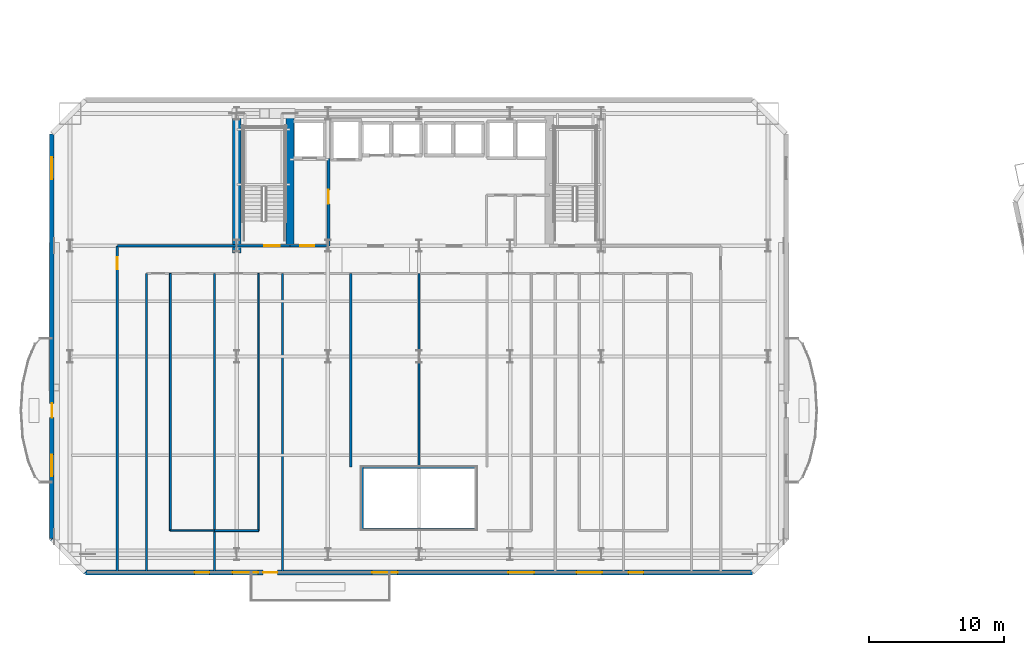
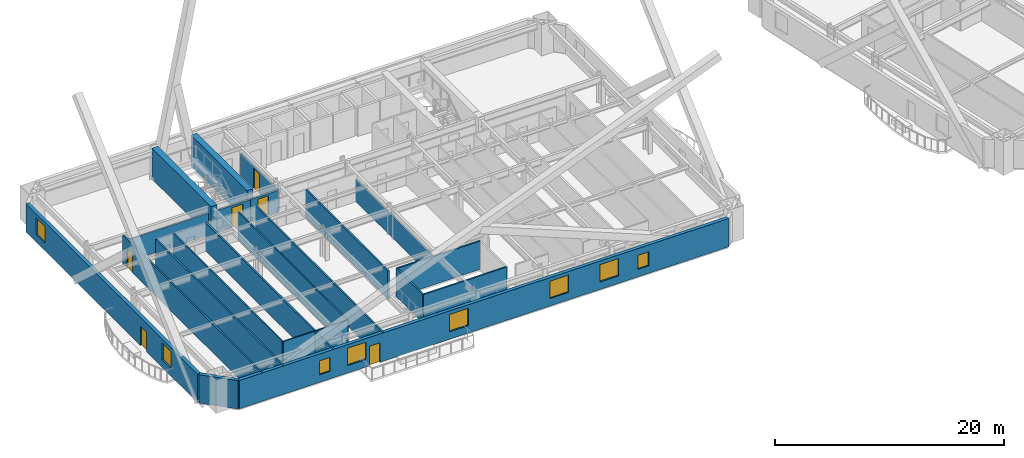
# One storey, part 7 of 20: 22 walls, 8 windows, 6 doors, 14 openings.
"""IFC4 building model written with IfcOpenShell, lengths in metres."""

from ifc_helpers import new_model, si_unit, direction, frame, frame_2d, origin, place, context, subcontext, project, spatial, rectangle, extrude, material, layer, layer_set, type_object, element, fill, save


model = new_model("IFC4")

# Units and contexts
model_context = context("Model", 3, precision=1e-05, world=origin(), true_north=direction((0.0, 1.0)))
body_context = subcontext(model_context, "Body", "Model", "MODEL_VIEW")
ifc_project = project(units=[si_unit("LENGTHUNIT", "METRE"), si_unit("AREAUNIT", "SQUARE_METRE"), si_unit("VOLUMEUNIT", "CUBIC_METRE"), si_unit("PLANEANGLEUNIT", "RADIAN"), si_unit("MASSUNIT", "GRAM", prefix="KILO")], contexts=[model_context])

# Site, building, storey
site_placement = place(None, origin())
site = spatial("IfcSite", under=ifc_project, at=site_placement, CompositionType="ELEMENT")
building_placement = place(site_placement, origin())
building = spatial("IfcBuilding", under=site, at=building_placement, Name="Haevon Station Towers", CompositionType="ELEMENT")
storey_placement = place(building_placement, frame((0.0, 0.0, 30.60009765625)))
storey = spatial("IfcBuildingStorey", under=building, at=storey_placement, Name="L06", CompositionType="ELEMENT", Elevation=30.60009765625)

# Wall, opening, door
ifc_material_1 = material(Name="Gypsum board on steel stud", Category="steel")
ifc_layer_1 = layer(ifc_material_1, 0.199951171875)
ifc_layer_set_1 = layer_set([ifc_layer_1], Name="Gypsum board on steel stud")
wall_type_1 = type_object("IfcWallType", Name="WL-COR200", PredefinedType="PARTITIONING", material=ifc_layer_set_1)
wall_1_placement = place(storey_placement, frame((24.0, 38.199951171875, 0.0), z_axis=(0.0, 0.0, 1.0), x_axis=(1.0, 0.0, 0.0)))
wall_1 = element("IfcWall", 1, at=wall_1_placement, inside=storey, type_object=wall_type_1, Name="WL-ST-ST1-L06", PredefinedType="PARTITIONING", context=body_context, shape_type="SweptSolid", body=[
    extrude(rectangle(XDim=3.949951171875, YDim=0.199951171875, at=frame_2d((1.97509765625, 0.0))), origin(), (0.0, 0.0, 1.0), 2.329833984375),
])
opening_1_placement = place(wall_1_placement, frame((2.050048828125, 0.0, 0.0)))
opening_1 = element("IfcOpeningElement", 2, at=opening_1_placement, cuts=wall_1, Name="Opening DR-ST-ST1-L06", PredefinedType="OPENING", context=body_context, shape_type="SweptSolid", body=[
    extrude(rectangle(XDim=1.1201171875, YDim=2.10009765625, at=frame_2d((0.56005859375, 1.050048828125))), frame((0.0, 0.10986328125, 0.0), z_axis=(0.0, -1.0, 0.0), x_axis=(1.0, 0.0, 0.0)), (0.0, 0.0, 1.0), 0.219970703125),
])
ifc_material_2 = material(Name="Engineered oak timber", Category="wood")
door_type_1 = type_object("IfcDoorType", Name="DR-ST-1120", OperationType="NOTDEFINED", PredefinedType="DOOR", material=ifc_material_2)
door_1_placement = place(opening_1_placement, origin())
door_1 = element("IfcDoor", 3, at=door_1_placement, inside=storey, type_object=door_type_1, Name="L06 Escape Stair ST1 Fire Door", OperationType="SINGLE_SWING_LEFT", OverallHeight=2.10009765625, OverallWidth=1.1201171875, PredefinedType="DOOR", context=body_context, shape_type="SweptSolid", body=[
    extrude(rectangle(XDim=1.1201171875, YDim=2.10009765625, at=frame_2d((0.56005859375, 1.050048828125))), frame((0.0, 0.02490234375, 0.0), z_axis=(0.0, -1.0, 0.0), x_axis=(1.0, 0.0, 0.0)), (0.0, 0.0, 1.0), 0.050048828125),
])
fill(opening_1, door_1)

wall_2_placement = place(storey_placement, frame((30.800048828125, 38.199951171875, 0.0), z_axis=(0.0, 0.0, 1.0), x_axis=(0.0, 1.0, 0.0)))
wall_2 = element("IfcWall", 4, at=wall_2_placement, inside=storey, type_object=wall_type_1, Name="WL-T1FFL-L06-E", PredefinedType="PARTITIONING", context=body_context, shape_type="SweptSolid", body=[
    extrude(rectangle(XDim=6.449951171875, YDim=0.199951171875, at=frame_2d((3.22509765625, 0.0))), origin(), (0.0, 0.0, 1.0), 2.329833984375),
])
opening_2_placement = place(wall_2_placement, frame((3.10009765625, 0.0, 0.0)))
opening_2 = element("IfcOpeningElement", 5, at=opening_2_placement, cuts=wall_2, Name="Opening DR-T1FFL-L06-E", PredefinedType="OPENING", context=body_context, shape_type="SweptSolid", body=[
    extrude(rectangle(XDim=1.050048828125, YDim=2.10009765625, at=frame_2d((0.52490234375, 1.050048828125))), frame((0.0, 0.10986328125, 0.0), z_axis=(0.0, -1.0, 0.0), x_axis=(1.0, 0.0, 0.0)), (0.0, 0.0, 1.0), 0.219970703125),
])
door_type_2 = type_object("IfcDoorType", Name="DR-FD60-1050", OperationType="NOTDEFINED", PredefinedType="DOOR", material=ifc_material_2)
door_2_placement = place(opening_2_placement, origin())
door_2 = element("IfcDoor", 6, at=door_2_placement, inside=storey, type_object=door_type_2, Name="L06 Tower 1 Firefighting Lift Lobby Door E", OperationType="SINGLE_SWING_LEFT", OverallHeight=2.10009765625, OverallWidth=1.050048828125, PredefinedType="DOOR", context=body_context, shape_type="SweptSolid", body=[
    extrude(rectangle(XDim=1.050048828125, YDim=2.10009765625, at=frame_2d((0.52490234375, 1.050048828125))), frame((0.0, 0.02490234375, 0.0), z_axis=(0.0, -1.0, 0.0), x_axis=(1.0, 0.0, 0.0)), (0.0, 0.0, 1.0), 0.050048828125),
])
fill(opening_2, door_2)

wall_3_placement = place(storey_placement, frame((27.949951171875, 38.199951171875, 0.0), z_axis=(0.0, 0.0, 1.0), x_axis=(1.0, 0.0, 0.0)))
wall_3 = element("IfcWall", 7, at=wall_3_placement, inside=storey, type_object=wall_type_1, Name="WL-T1FFL-L06-S", PredefinedType="PARTITIONING", context=body_context, shape_type="SweptSolid", body=[
    extrude(rectangle(XDim=2.85009765625, YDim=0.199951171875, at=frame_2d((1.425048828125, 0.0))), origin(), (0.0, 0.0, 1.0), 2.329833984375),
])
opening_3_placement = place(wall_3_placement, frame((0.75, 0.0, 0.0)))
opening_3 = element("IfcOpeningElement", 8, at=opening_3_placement, cuts=wall_3, Name="Opening DR-T1FFL-L06-S", PredefinedType="OPENING", context=body_context, shape_type="SweptSolid", body=[
    extrude(rectangle(XDim=1.050048828125, YDim=2.10009765625, at=frame_2d((0.52490234375, 1.050048828125))), frame((0.0, 0.10986328125, 0.0), z_axis=(0.0, -1.0, 0.0), x_axis=(1.0, 0.0, 0.0)), (0.0, 0.0, 1.0), 0.219970703125),
])
door_3_placement = place(opening_3_placement, origin())
door_3 = element("IfcDoor", 9, at=door_3_placement, inside=storey, type_object=door_type_2, Name="L06 Tower 1 Firefighting Lift Lobby Door S", OperationType="SINGLE_SWING_RIGHT", OverallHeight=2.10009765625, OverallWidth=1.050048828125, PredefinedType="DOOR", context=body_context, shape_type="SweptSolid", body=[
    extrude(rectangle(XDim=1.050048828125, YDim=2.10009765625, at=frame_2d((0.52490234375, 1.050048828125))), frame((0.0, 0.02490234375, 0.0), z_axis=(0.0, -1.0, 0.0), x_axis=(1.0, 0.0, 0.0)), (0.0, 0.0, 1.0), 0.050048828125),
])
fill(opening_3, door_3)

# Walls
ifc_material_3 = material(Name="Concrete C60/75", Category="concrete")
ifc_layer_2 = layer(ifc_material_3, 0.60009765625)
ifc_layer_set_2 = layer_set([ifc_layer_2], Name="Concrete C60/75")
wall_type_2 = type_object("IfcWallType", Name="WL-CR600", PredefinedType="SHEAR", material=ifc_layer_set_2)
wall_4_placement = place(storey_placement, frame((24.0, 37.679931640625, 0.0), z_axis=(0.0, 0.0, 1.0), x_axis=(0.0, 1.0, 0.0)))
element("IfcWall", 10, at=wall_4_placement, inside=storey, type_object=wall_type_2, Name="WL-T1CR-L06-W", PredefinedType="SHEAR", context=body_context, shape_type="SweptSolid", body=[
    extrude(rectangle(XDim=10.320068359375, YDim=0.60009765625, at=frame_2d((5.16015625, 0.0))), origin(), (0.0, 0.0, 1.0), 3.2998046875),
])
wall_5_placement = place(storey_placement, frame((27.949951171875, 38.199951171875, 0.0), z_axis=(0.0, 0.0, 1.0), x_axis=(0.0, 1.0, 0.0)))
element("IfcWall", 11, at=wall_5_placement, inside=storey, type_object=wall_type_2, Name="WL-T1CR-L06-M1", PredefinedType="SHEAR", context=body_context, shape_type="SweptSolid", body=[
    extrude(rectangle(XDim=9.800048828125, YDim=0.60009765625, at=frame_2d((4.89990234375, 0.0))), origin(), (0.0, 0.0, 1.0), 3.2998046875),
])

# Wall, openings, door, windows
ifc_material_4 = material(Name="Precast concrete C45/55", Category="concrete")
ifc_layer_3 = layer(ifc_material_4, 0.340087890625)
ifc_layer_set_3 = layer_set([ifc_layer_3], Name="Precast concrete C45/55")
wall_type_3 = type_object("IfcWallType", Name="WL-EXT-PIER340", PredefinedType="SOLIDWALL", material=ifc_layer_set_3)
wall_6_placement = place(storey_placement, frame((62.199951171875, 14.0, 0.0), z_axis=(0.0, 0.0, 1.0), x_axis=(-1.0, 0.0, 0.0)))
wall_6 = element("IfcWall", 12, at=wall_6_placement, inside=storey, type_object=wall_type_3, Name="WL-T1-L06-S", PredefinedType="SOLIDWALL", context=body_context, shape_type="SweptSolid", body=[
    extrude(rectangle(XDim=49.39990234375, YDim=0.340087890625, at=frame_2d((24.699951171875, 0.0))), origin(), (0.0, 0.0, 1.0), 3.02978515625),
])
opening_4_placement = place(wall_6_placement, frame((35.197021484375, 0.0, 0.0)))
opening_4 = element("IfcOpeningElement", 13, at=opening_4_placement, cuts=wall_6, Name="Opening DR-T1-PBAND-L06-1", PredefinedType="OPENING", context=body_context, shape_type="SweptSolid", body=[
    extrude(rectangle(XDim=1.050048828125, YDim=2.10009765625, at=frame_2d((0.52490234375, 1.050048828125))), frame((0.0, 0.179931640625, 0.0), z_axis=(0.0, -1.0, 0.0), x_axis=(1.0, 0.0, 0.0)), (0.0, 0.0, 1.0), 0.360107421875),
])
opening_5_placement = place(wall_6_placement, frame((40.22998046875, 0.0, 0.800048828125)))
opening_5 = element("IfcOpeningElement", 14, at=opening_5_placement, cuts=wall_6, Name="Opening WN-COR110", PredefinedType="OPENING", context=body_context, shape_type="SweptSolid", body=[
    extrude(rectangle(XDim=1.10009765625, YDim=1.5, at=frame_2d((0.550048828125, 0.75))), frame((0.0, 0.179931640625, 0.0), z_axis=(0.0, -1.0, 0.0), x_axis=(1.0, 0.0, 0.0)), (0.0, 0.0, 1.0), 0.360107421875),
])
opening_6_placement = place(wall_6_placement, frame((36.614013671875, 0.0, 0.800048828125)))
opening_6 = element("IfcOpeningElement", 15, at=opening_6_placement, cuts=wall_6, Name="Opening WN-P190", PredefinedType="OPENING", context=body_context, shape_type="SweptSolid", body=[
    extrude(rectangle(XDim=1.89990234375, YDim=1.85009765625, at=frame_2d((0.949951171875, 0.925048828125))), frame((0.0, 0.179931640625, 0.0), z_axis=(0.0, -1.0, 0.0), x_axis=(1.0, 0.0, 0.0)), (0.0, 0.0, 1.0), 0.360107421875),
])
opening_7_placement = place(wall_6_placement, frame((26.27490234375, 0.0, 0.800048828125)))
opening_7 = element("IfcOpeningElement", 16, at=opening_7_placement, cuts=wall_6, Name="Opening WN-P190", PredefinedType="OPENING", context=body_context, shape_type="SweptSolid", body=[
    extrude(rectangle(XDim=1.89990234375, YDim=1.85009765625, at=frame_2d((0.949951171875, 0.925048828125))), frame((0.0, 0.179931640625, 0.0), z_axis=(0.0, -1.0, 0.0), x_axis=(1.0, 0.0, 0.0)), (0.0, 0.0, 1.0), 0.360107421875),
])
opening_8_placement = place(wall_6_placement, frame((16.175048828125, 0.0, 0.800048828125)))
opening_8 = element("IfcOpeningElement", 17, at=opening_8_placement, cuts=wall_6, Name="Opening WN-P190", PredefinedType="OPENING", context=body_context, shape_type="SweptSolid", body=[
    extrude(rectangle(XDim=1.89990234375, YDim=1.85009765625, at=frame_2d((0.949951171875, 0.925048828125))), frame((0.0, 0.179931640625, 0.0), z_axis=(0.0, -1.0, 0.0), x_axis=(1.0, 0.0, 0.0)), (0.0, 0.0, 1.0), 0.360107421875),
])
opening_9_placement = place(wall_6_placement, frame((11.125, 0.0, 0.800048828125)))
opening_9 = element("IfcOpeningElement", 18, at=opening_9_placement, cuts=wall_6, Name="Opening WN-P190", PredefinedType="OPENING", context=body_context, shape_type="SweptSolid", body=[
    extrude(rectangle(XDim=1.89990234375, YDim=1.85009765625, at=frame_2d((0.949951171875, 0.925048828125))), frame((0.0, 0.179931640625, 0.0), z_axis=(0.0, -1.0, 0.0), x_axis=(1.0, 0.0, 0.0)), (0.0, 0.0, 1.0), 0.360107421875),
])
opening_10_placement = place(wall_6_placement, frame((8.070068359375, 0.0, 0.800048828125)))
opening_10 = element("IfcOpeningElement", 19, at=opening_10_placement, cuts=wall_6, Name="Opening WN-COR110", PredefinedType="OPENING", context=body_context, shape_type="SweptSolid", body=[
    extrude(rectangle(XDim=1.10009765625, YDim=1.5, at=frame_2d((0.550048828125, 0.75))), frame((0.0, 0.179931640625, 0.0), z_axis=(0.0, -1.0, 0.0), x_axis=(1.0, 0.0, 0.0)), (0.0, 0.0, 1.0), 0.360107421875),
])
ifc_material_5 = material(Name="Thermally broken anodised aluminium and laminated safety glass", Category="aluminium")
door_type_3 = type_object("IfcDoorType", Name="DR-BALC-1050", OperationType="NOTDEFINED", PredefinedType="DOOR", material=ifc_material_5)
door_4_placement = place(opening_4_placement, origin())
door_4 = element("IfcDoor", 20, at=door_4_placement, inside=storey, type_object=door_type_3, Name="Tower 1 L06 Balcony Terrace Door", OperationType="SINGLE_SWING_LEFT", OverallHeight=2.10009765625, OverallWidth=1.050048828125, PredefinedType="DOOR", context=body_context, shape_type="SweptSolid", body=[
    extrude(rectangle(XDim=1.050048828125, YDim=2.10009765625, at=frame_2d((0.52490234375, 1.050048828125))), frame((0.0, 0.02490234375, 0.0), z_axis=(0.0, -1.0, 0.0), x_axis=(1.0, 0.0, 0.0)), (0.0, 0.0, 1.0), 0.050048828125),
])
fill(opening_4, door_4)
ifc_material_6 = material(Name="Low-E triple glazing in thermally broken aluminium", Category="aluminium")
window_type_1 = type_object("IfcWindowType", Name="WN-COR110", PartitioningType="SINGLE_PANEL", PredefinedType="WINDOW", material=ifc_material_6)
window_1_placement = place(opening_5_placement, origin())
window_1 = element("IfcWindow", 21, at=window_1_placement, inside=storey, type_object=window_type_1, Name="WN-T1-L06-S01", OverallHeight=1.5, OverallWidth=1.10009765625, PartitioningType="SINGLE_PANEL", PredefinedType="WINDOW", context=body_context, shape_type="SweptSolid", body=[
    extrude(rectangle(XDim=1.10009765625, YDim=1.5, at=frame_2d((0.550048828125, 0.75))), frame((0.0, 0.030029296875, 0.0), z_axis=(0.0, -1.0, 0.0), x_axis=(1.0, 0.0, 0.0)), (0.0, 0.0, 1.0), 0.06005859375),
])
fill(opening_5, window_1)
window_2_placement = place(opening_10_placement, origin())
window_2 = element("IfcWindow", 22, at=window_2_placement, inside=storey, type_object=window_type_1, Name="WN-T1-L06-S06", OverallHeight=1.5, OverallWidth=1.10009765625, PartitioningType="SINGLE_PANEL", PredefinedType="WINDOW", context=body_context, shape_type="SweptSolid", body=[
    extrude(rectangle(XDim=1.10009765625, YDim=1.5, at=frame_2d((0.550048828125, 0.75))), frame((0.0, 0.030029296875, 0.0), z_axis=(0.0, -1.0, 0.0), x_axis=(1.0, 0.0, 0.0)), (0.0, 0.0, 1.0), 0.06005859375),
])
fill(opening_10, window_2)
window_type_2 = type_object("IfcWindowType", Name="WN-P190", PartitioningType="SINGLE_PANEL", PredefinedType="WINDOW", material=ifc_material_6)
window_3_placement = place(opening_6_placement, origin())
window_3 = element("IfcWindow", 23, at=window_3_placement, inside=storey, type_object=window_type_2, Name="WN-T1-L06-S02", OverallHeight=1.85009765625, OverallWidth=1.89990234375, PartitioningType="SINGLE_PANEL", PredefinedType="WINDOW", context=body_context, shape_type="SweptSolid", body=[
    extrude(rectangle(XDim=1.89990234375, YDim=1.85009765625, at=frame_2d((0.949951171875, 0.925048828125))), frame((0.0, 0.030029296875, 0.0), z_axis=(0.0, -1.0, 0.0), x_axis=(1.0, 0.0, 0.0)), (0.0, 0.0, 1.0), 0.06005859375),
])
fill(opening_6, window_3)
window_4_placement = place(opening_7_placement, origin())
window_4 = element("IfcWindow", 24, at=window_4_placement, inside=storey, type_object=window_type_2, Name="WN-T1-L06-S03", OverallHeight=1.85009765625, OverallWidth=1.89990234375, PartitioningType="SINGLE_PANEL", PredefinedType="WINDOW", context=body_context, shape_type="SweptSolid", body=[
    extrude(rectangle(XDim=1.89990234375, YDim=1.85009765625, at=frame_2d((0.949951171875, 0.925048828125))), frame((0.0, 0.030029296875, 0.0), z_axis=(0.0, -1.0, 0.0), x_axis=(1.0, 0.0, 0.0)), (0.0, 0.0, 1.0), 0.06005859375),
])
fill(opening_7, window_4)
window_5_placement = place(opening_8_placement, origin())
window_5 = element("IfcWindow", 25, at=window_5_placement, inside=storey, type_object=window_type_2, Name="WN-T1-L06-S04", OverallHeight=1.85009765625, OverallWidth=1.89990234375, PartitioningType="SINGLE_PANEL", PredefinedType="WINDOW", context=body_context, shape_type="SweptSolid", body=[
    extrude(rectangle(XDim=1.89990234375, YDim=1.85009765625, at=frame_2d((0.949951171875, 0.925048828125))), frame((0.0, 0.030029296875, 0.0), z_axis=(0.0, -1.0, 0.0), x_axis=(1.0, 0.0, 0.0)), (0.0, 0.0, 1.0), 0.06005859375),
])
fill(opening_8, window_5)
window_6_placement = place(opening_9_placement, origin())
window_6 = element("IfcWindow", 26, at=window_6_placement, inside=storey, type_object=window_type_2, Name="WN-T1-L06-S05", OverallHeight=1.85009765625, OverallWidth=1.89990234375, PartitioningType="SINGLE_PANEL", PredefinedType="WINDOW", context=body_context, shape_type="SweptSolid", body=[
    extrude(rectangle(XDim=1.89990234375, YDim=1.85009765625, at=frame_2d((0.949951171875, 0.925048828125))), frame((0.0, 0.030029296875, 0.0), z_axis=(0.0, -1.0, 0.0), x_axis=(1.0, 0.0, 0.0)), (0.0, 0.0, 1.0), 0.06005859375),
])
fill(opening_9, window_6)

# Wall
wall_7_placement = place(storey_placement, frame((12.800048828125, 14.0, 0.0), z_axis=(0.0, 0.0, 1.0), x_axis=(-0.707106781187, 0.707106781187, 0.0)))
element("IfcWall", 27, at=wall_7_placement, inside=storey, type_object=wall_type_3, Name="WL-T1-L06-SWC", PredefinedType="SOLIDWALL", context=body_context, shape_type="SweptSolid", body=[
    extrude(rectangle(XDim=3.53564453125, YDim=0.340087890625, at=frame_2d((1.767822265625, 0.0))), origin(), (0.0, 0.0, 1.0), 3.02978515625),
])

# Wall, openings, door, windows
wall_8_placement = place(storey_placement, frame((10.300048828125, 16.5, 0.0), z_axis=(0.0, 0.0, 1.0), x_axis=(0.0, 1.0, 0.0)))
wall_8 = element("IfcWall", 28, at=wall_8_placement, inside=storey, type_object=wall_type_3, Name="WL-T1-L06-W", PredefinedType="SOLIDWALL", context=body_context, shape_type="SweptSolid", body=[
    extrude(rectangle(XDim=30.0, YDim=0.340087890625, at=frame_2d((15.0, 0.0))), origin(), (0.0, 0.0, 1.0), 3.02978515625),
])
opening_11_placement = place(wall_8_placement, frame((8.97509765625, 0.0, 0.0)))
opening_11 = element("IfcOpeningElement", 29, at=opening_11_placement, cuts=wall_8, Name="Opening DR-T1-SCAL-L06-W", PredefinedType="OPENING", context=body_context, shape_type="SweptSolid", body=[
    extrude(rectangle(XDim=1.050048828125, YDim=2.10009765625, at=frame_2d((0.52490234375, 1.050048828125))), frame((0.0, 0.179931640625, 0.0), z_axis=(0.0, -1.0, 0.0), x_axis=(1.0, 0.0, 0.0)), (0.0, 0.0, 1.0), 0.360107421875),
])
opening_12_placement = place(wall_8_placement, frame((4.628662109375, 0.0, 0.800048828125)))
opening_12 = element("IfcOpeningElement", 30, at=opening_12_placement, cuts=wall_8, Name="Opening WN-END160", PredefinedType="OPENING", context=body_context, shape_type="SweptSolid", body=[
    extrude(rectangle(XDim=1.60009765625, YDim=1.800048828125, at=frame_2d((0.800048828125, 0.89990234375))), frame((0.0, 0.179931640625, 0.0), z_axis=(0.0, -1.0, 0.0), x_axis=(1.0, 0.0, 0.0)), (0.0, 0.0, 1.0), 0.360107421875),
])
opening_13_placement = place(wall_8_placement, frame((26.642822265625, 0.0, 0.800048828125)))
opening_13 = element("IfcOpeningElement", 31, at=opening_13_placement, cuts=wall_8, Name="Opening WN-END160", PredefinedType="OPENING", context=body_context, shape_type="SweptSolid", body=[
    extrude(rectangle(XDim=1.60009765625, YDim=1.800048828125, at=frame_2d((0.800048828125, 0.89990234375))), frame((0.0, 0.179931640625, 0.0), z_axis=(0.0, -1.0, 0.0), x_axis=(1.0, 0.0, 0.0)), (0.0, 0.0, 1.0), 0.360107421875),
])
door_5_placement = place(opening_11_placement, origin())
door_5 = element("IfcDoor", 32, at=door_5_placement, inside=storey, type_object=door_type_3, Name="Tower 1 L06 West Scalloped Balcony Door", OperationType="SINGLE_SWING_RIGHT", OverallHeight=2.10009765625, OverallWidth=1.050048828125, PredefinedType="DOOR", context=body_context, shape_type="SweptSolid", body=[
    extrude(rectangle(XDim=1.050048828125, YDim=2.10009765625, at=frame_2d((0.52490234375, 1.050048828125))), frame((0.0, 0.02490234375, 0.0), z_axis=(0.0, -1.0, 0.0), x_axis=(1.0, 0.0, 0.0)), (0.0, 0.0, 1.0), 0.050048828125),
])
fill(opening_11, door_5)
window_type_3 = type_object("IfcWindowType", Name="WN-END160", PartitioningType="SINGLE_PANEL", PredefinedType="WINDOW", material=ifc_material_6)
window_7_placement = place(opening_12_placement, origin())
window_7 = element("IfcWindow", 33, at=window_7_placement, inside=storey, type_object=window_type_3, Name="WN-T1-L06-W01", OverallHeight=1.800048828125, OverallWidth=1.60009765625, PartitioningType="SINGLE_PANEL", PredefinedType="WINDOW", context=body_context, shape_type="SweptSolid", body=[
    extrude(rectangle(XDim=1.60009765625, YDim=1.800048828125, at=frame_2d((0.800048828125, 0.89990234375))), frame((0.0, 0.030029296875, 0.0), z_axis=(0.0, -1.0, 0.0), x_axis=(1.0, 0.0, 0.0)), (0.0, 0.0, 1.0), 0.06005859375),
])
fill(opening_12, window_7)
window_8_placement = place(opening_13_placement, origin())
window_8 = element("IfcWindow", 34, at=window_8_placement, inside=storey, type_object=window_type_3, Name="WN-T1-L06-W02", OverallHeight=1.800048828125, OverallWidth=1.60009765625, PartitioningType="SINGLE_PANEL", PredefinedType="WINDOW", context=body_context, shape_type="SweptSolid", body=[
    extrude(rectangle(XDim=1.60009765625, YDim=1.800048828125, at=frame_2d((0.800048828125, 0.89990234375))), frame((0.0, 0.030029296875, 0.0), z_axis=(0.0, -1.0, 0.0), x_axis=(1.0, 0.0, 0.0)), (0.0, 0.0, 1.0), 0.06005859375),
])
fill(opening_13, window_8)

# Walls
ifc_layer_4 = layer(ifc_material_1, 0.125)
ifc_layer_set_4 = layer_set([ifc_layer_4], Name="Gypsum board on steel stud")
wall_type_4 = type_object("IfcWallType", Name="WL-PRT125", PredefinedType="PARTITIONING", material=ifc_layer_set_4)
wall_9_placement = place(storey_placement, frame((19.080078125, 17.10009765625, 0.0), z_axis=(0.0, 0.0, 1.0), x_axis=(1.0, 0.0, 0.0)))
element("IfcWall", 35, at=wall_9_placement, inside=storey, type_object=wall_type_4, Name="WL-T1PT-L06-11", PredefinedType="PARTITIONING", context=body_context, shape_type="SweptSolid", body=[
    extrude(rectangle(XDim=3.27001953125, YDim=0.125, at=frame_2d((1.635009765625, 0.0))), origin(), (0.0, 0.0, 1.0), 3.02978515625),
])
wall_10_placement = place(storey_placement, frame((25.6201171875, 17.10009765625, 0.0), z_axis=(0.0, 0.0, 1.0), x_axis=(0.0, 1.0, 0.0)))
element("IfcWall", 36, at=wall_10_placement, inside=storey, type_object=wall_type_4, Name="WL-T1PT-L06-15", PredefinedType="PARTITIONING", context=body_context, shape_type="SweptSolid", body=[
    extrude(rectangle(XDim=19.0498046875, YDim=0.125, at=frame_2d((9.52490234375, 0.0))), origin(), (0.0, 0.0, 1.0), 3.02978515625),
])
ifc_layer_5 = layer(ifc_material_1, 0.139892578125)
ifc_layer_set_5 = layer_set([ifc_layer_5], Name="Gypsum board on steel stud")
wall_type_5 = type_object("IfcWallType", Name="WL-PRT140", PredefinedType="PARTITIONING", material=ifc_layer_set_5)
wall_11_placement = place(storey_placement, frame((19.080078125, 17.10009765625, 0.0), z_axis=(0.0, 0.0, 1.0), x_axis=(0.0, 1.0, 0.0)))
element("IfcWall", 37, at=wall_11_placement, inside=storey, type_object=wall_type_5, Name="WL-T1PT-L06-12", PredefinedType="PARTITIONING", context=body_context, shape_type="SweptSolid", body=[
    extrude(rectangle(XDim=19.0498046875, YDim=0.139892578125, at=frame_2d((9.52490234375, 0.0))), origin(), (0.0, 0.0, 1.0), 3.02978515625),
])
wall_12_placement = place(storey_placement, frame((22.35009765625, 17.10009765625, 0.0), z_axis=(0.0, 0.0, 1.0), x_axis=(1.0, 0.0, 0.0)))
element("IfcWall", 38, at=wall_12_placement, inside=storey, type_object=wall_type_5, Name="WL-T1PT-L06-14", PredefinedType="PARTITIONING", context=body_context, shape_type="SweptSolid", body=[
    extrude(rectangle(XDim=3.27001953125, YDim=0.139892578125, at=frame_2d((1.635009765625, 0.0))), origin(), (0.0, 0.0, 1.0), 3.02978515625),
])
ifc_layer_6 = layer(ifc_material_1, 0.159912109375)
ifc_layer_set_6 = layer_set([ifc_layer_6], Name="Gypsum board on steel stud")
wall_type_6 = type_object("IfcWallType", Name="WL-PRT160", PredefinedType="PARTITIONING", material=ifc_layer_set_6)
wall_13_placement = place(storey_placement, frame((17.300048828125, 14.0, 0.0), z_axis=(0.0, 0.0, 1.0), x_axis=(0.0, 1.0, 0.0)))
element("IfcWall", 39, at=wall_13_placement, inside=storey, type_object=wall_type_6, Name="WL-T1PT-L06-01", PredefinedType="PARTITIONING", context=body_context, shape_type="SweptSolid", body=[
    extrude(rectangle(XDim=22.14990234375, YDim=0.159912109375, at=frame_2d((11.074951171875, 0.0))), origin(), (0.0, 0.0, 1.0), 3.02978515625),
])
wall_14_placement = place(storey_placement, frame((15.14990234375, 38.199951171875, 0.0), z_axis=(0.0, 0.0, 1.0), x_axis=(1.0, 0.0, 0.0)))
element("IfcWall", 40, at=wall_14_placement, inside=storey, type_object=wall_type_6, Name="WL-T1PT-L06-03", PredefinedType="PARTITIONING", context=body_context, shape_type="SweptSolid", body=[
    extrude(rectangle(XDim=8.85009765625, YDim=0.159912109375, at=frame_2d((4.425048828125, 0.0))), origin(), (0.0, 0.0, 1.0), 2.329833984375),
])

# Wall, opening, door
wall_15_placement = place(storey_placement, frame((15.14990234375, 14.0, 0.0), z_axis=(0.0, 0.0, 1.0), x_axis=(0.0, 1.0, 0.0)))
wall_15 = element("IfcWall", 41, at=wall_15_placement, inside=storey, type_object=wall_type_6, Name="WL-T1PT-L06-05", PredefinedType="PARTITIONING", context=body_context, shape_type="SweptSolid", body=[
    extrude(rectangle(XDim=24.199951171875, YDim=0.159912109375, at=frame_2d((12.10009765625, 0.0))), origin(), (0.0, 0.0, 1.0), 3.02978515625),
])
opening_14_placement = place(wall_15_placement, frame((22.469970703125, 0.0, 0.0)))
opening_14 = element("IfcOpeningElement", 42, at=opening_14_placement, cuts=wall_15, Name="Opening DR-WL-T1PT-L06-05-01", PredefinedType="OPENING", context=body_context, shape_type="SweptSolid", body=[
    extrude(rectangle(XDim=0.89990234375, YDim=2.050048828125, at=frame_2d((0.449951171875, 1.02490234375))), frame((0.0, 0.08984375, 0.0), z_axis=(0.0, -1.0, 0.0), x_axis=(1.0, 0.0, 0.0)), (0.0, 0.0, 1.0), 0.179931640625),
])
door_type_4 = type_object("IfcDoorType", Name="DR-INT-900", OperationType="NOTDEFINED", PredefinedType="DOOR", material=ifc_material_2)
door_6_placement = place(opening_14_placement, origin())
door_6 = element("IfcDoor", 43, at=door_6_placement, inside=storey, type_object=door_type_4, Name="L06 Tower 1 Room Door 5-1", OperationType="SINGLE_SWING_RIGHT", OverallHeight=2.050048828125, OverallWidth=0.89990234375, PredefinedType="DOOR", context=body_context, shape_type="SweptSolid", body=[
    extrude(rectangle(XDim=0.89990234375, YDim=2.050048828125, at=frame_2d((0.449951171875, 1.02490234375))), frame((0.0, 0.02490234375, 0.0), z_axis=(0.0, -1.0, 0.0), x_axis=(1.0, 0.0, 0.0)), (0.0, 0.0, 1.0), 0.050048828125),
])
fill(opening_14, door_6)

# Walls
for number, where, z_axis, x_axis, name in (
    (44, (33.300048828125, 17.199951171875, 0.0), (0.0, 0.0, 1.0), (1.0, 0.0, 0.0), "WL-T1PT-L06-07"),
    (45, (33.300048828125, 21.800048828125, 0.0), (0.0, 0.0, 1.0), (1.0, 0.0, 0.0), "WL-T1PT-L06-08"),
):
    element("IfcWall", number, at=place(storey_placement, frame(where, z_axis=z_axis, x_axis=x_axis)), inside=storey, type_object=wall_type_6, Name=name, PredefinedType="PARTITIONING", context=body_context, shape_type="SweptSolid", body=[
        extrude(rectangle(XDim=8.39990234375, YDim=0.159912109375, at=frame_2d((4.199951171875, 0.0))), origin(), (0.0, 0.0, 1.0), 3.02978515625),
    ])
wall_16_placement = place(storey_placement, frame((33.300048828125, 17.199951171875, 0.0), z_axis=(0.0, 0.0, 1.0), x_axis=(0.0, 1.0, 0.0)))
element("IfcWall", 46, at=wall_16_placement, inside=storey, type_object=wall_type_6, Name="WL-T1PT-L06-09", PredefinedType="PARTITIONING", context=body_context, shape_type="SweptSolid", body=[
    extrude(rectangle(XDim=4.60009765625, YDim=0.159912109375, at=frame_2d((2.300048828125, 0.0))), origin(), (0.0, 0.0, 1.0), 3.02978515625),
])
for number, where, z_axis, x_axis, name in (
    (47, (22.35009765625, 14.0, 0.0), (0.0, 0.0, 1.0), (0.0, 1.0, 0.0), "WL-T1PT-L06-13"),
    (48, (27.39990234375, 14.0, 0.0), (0.0, 0.0, 1.0), (0.0, 1.0, 0.0), "WL-T1PT-L06-16"),
):
    element("IfcWall", number, at=place(storey_placement, frame(where, z_axis=z_axis, x_axis=x_axis)), inside=storey, type_object=wall_type_6, Name=name, PredefinedType="PARTITIONING", context=body_context, shape_type="SweptSolid", body=[
        extrude(rectangle(XDim=22.14990234375, YDim=0.159912109375, at=frame_2d((11.074951171875, 0.0))), origin(), (0.0, 0.0, 1.0), 3.02978515625),
    ])
wall_17_placement = place(storey_placement, frame((32.449951171875, 21.800048828125, 0.0), z_axis=(0.0, 0.0, 1.0), x_axis=(0.0, 1.0, 0.0)))
element("IfcWall", 49, at=wall_17_placement, inside=storey, type_object=wall_type_6, Name="WL-T1PT-L06-17", PredefinedType="PARTITIONING", context=body_context, shape_type="SweptSolid", body=[
    extrude(rectangle(XDim=14.349853515625, YDim=0.159912109375, at=frame_2d((7.1748046875, 0.0))), origin(), (0.0, 0.0, 1.0), 3.02978515625),
])
wall_18_placement = place(storey_placement, frame((37.5, 21.800048828125, 0.0), z_axis=(0.0, 0.0, 1.0), x_axis=(0.0, 1.0, 0.0)))
element("IfcWall", 50, at=wall_18_placement, inside=storey, type_object=wall_type_6, Name="WL-T1PT-L06-18", PredefinedType="PARTITIONING", context=body_context, shape_type="SweptSolid", body=[
    extrude(rectangle(XDim=14.349853515625, YDim=0.159912109375, at=frame_2d((7.1748046875, 0.0))), origin(), (0.0, 0.0, 1.0), 2.329833984375),
])

save(model, "model.ifc")
